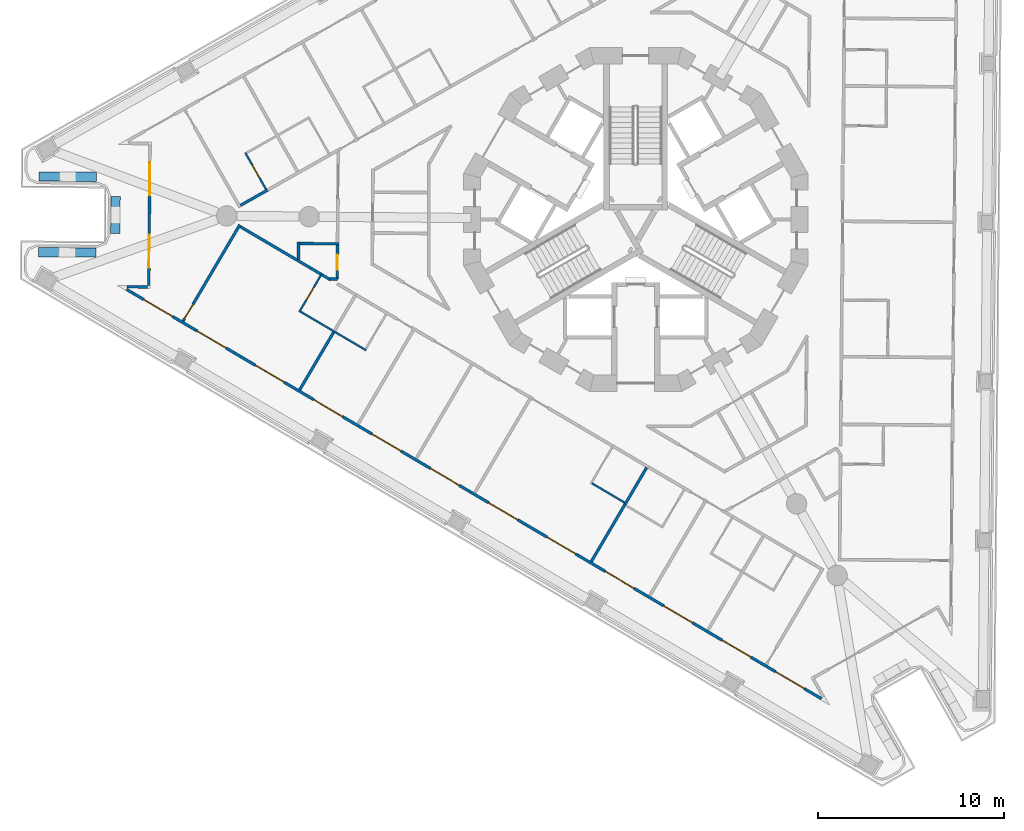
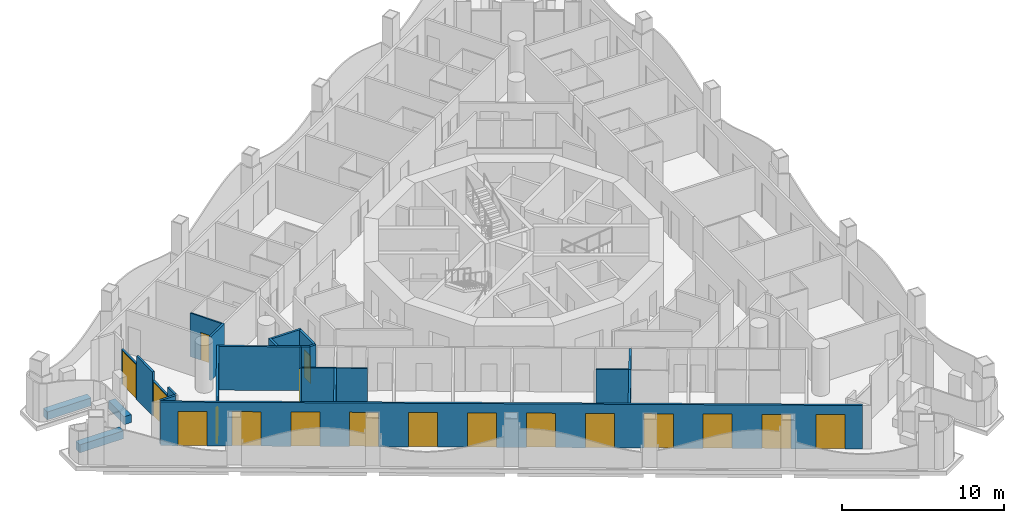
# One storey, part 2 of 18: 24 walls, 18 doors, 18 openings.
"""IFC4 building model written with IfcOpenShell, lengths in metres."""

import ifcopenshell
import ifcopenshell.guid

model = None  # the IFC model being written
_history = None  # IfcOwnerHistory: only IFC2X3 demands one
_inside = {}  # id of a spatial element -> (the spatial element, [elements in it])
_under = {}  # id of a project, library or spatial element -> (it, [spatial elements below it])
_declared = {}  # id of a project -> (the project, [libraries it declares])
_typed = {}  # id of a type object -> (the type object, [elements of that type])
_made_of = {}  # id of a material, layer set ... -> (it, [elements and type objects made of it])


def new_model(schema):
    """Start an empty IFC model of exactly this schema.

    Asked for "IFC4X3", IfcOpenShell would pick the latest addendum, in which some entities
    have other attributes; the version numbers below select the first issue.
    IFC2X3 requires an IfcOwnerHistory on every rooted entity: one is made here for all.
    """
    global model, _history
    if schema == "IFC4X3":
        model = ifcopenshell.file(schema_version=(4, 3, 0, 0))
    else:
        model = ifcopenshell.file(schema=schema)
    _inside.clear()
    _under.clear()
    _declared.clear()
    _typed.clear()
    _made_of.clear()
    _history = None
    if model.schema == "IFC2X3":
        org = make("IfcOrganization", Name="unknown")
        user = make(
            "IfcPersonAndOrganization",
            ThePerson=make("IfcPerson", FamilyName="unknown"),
            TheOrganization=org,
        )
        app = make(
            "IfcApplication",
            ApplicationDeveloper=org,
            Version="unknown",
            ApplicationFullName="unknown",
            ApplicationIdentifier="unknown",
        )
        _history = make(
            "IfcOwnerHistory",
            OwningUser=user,
            OwningApplication=app,
            ChangeAction="ADDED",
            CreationDate=0,
        )
    return model


def make(cls, **values):
    """One entity of the class cls with the attributes given. An attribute that is None is left unset."""
    return model.create_entity(
        cls, **{name: value for name, value in values.items() if value is not None}
    )


def rooted(cls, **values):
    """An entity with a GlobalId (a new one), such as an element, a storey or a relation."""
    return make(cls, GlobalId=ifcopenshell.guid.new(), OwnerHistory=_history, **values)


def si_unit(unit_type, name, prefix=None):
    """IfcSIUnit, for example si_unit("LENGTHUNIT", "METRE", prefix="MILLI")."""
    return make("IfcSIUnit", UnitType=unit_type, Prefix=prefix, Name=name)


def assignment(units):
    """IfcUnitAssignment: the units of a project."""
    return None if units is None else make("IfcUnitAssignment", Units=units)


def point(xyz):
    """IfcCartesianPoint."""
    return None if xyz is None else make("IfcCartesianPoint", Coordinates=xyz)


def direction(xyz):
    """IfcDirection."""
    return None if xyz is None else make("IfcDirection", DirectionRatios=xyz)


def frame(location, z_axis=None, x_axis=None):
    """IfcAxis2Placement3D, a coordinate frame: its origin and axes. An axis left out is left unset."""
    return make(
        "IfcAxis2Placement3D",
        Location=point(location),
        Axis=direction(z_axis),
        RefDirection=direction(x_axis),
    )


def frame_2d(location, x_axis=None):
    """IfcAxis2Placement2D, a coordinate frame in the plane: its origin and x axis."""
    return make(
        "IfcAxis2Placement2D", Location=point(location), RefDirection=direction(x_axis)
    )


def origin():
    """The frame at (0, 0, 0) with its axes left unset."""
    return frame((0.0, 0.0, 0.0))


def place(relative_to, where):
    """IfcLocalPlacement: puts the frame where relative to a parent placement (None: the world)."""
    return make(
        "IfcLocalPlacement", PlacementRelTo=relative_to, RelativePlacement=where
    )


def context(
    kind, dimensions, precision=None, world=None, true_north=None, identifier=None
):
    """IfcGeometricRepresentationContext, for example the 3D "Model" context."""
    return make(
        "IfcGeometricRepresentationContext",
        ContextIdentifier=identifier,
        ContextType=kind,
        CoordinateSpaceDimension=dimensions,
        Precision=precision,
        WorldCoordinateSystem=world,
        TrueNorth=true_north,
    )


def subcontext(parent, identifier, kind, view, scale=None):
    """IfcGeometricRepresentationSubContext, for example "Body" below "Model"."""
    return make(
        "IfcGeometricRepresentationSubContext",
        ContextIdentifier=identifier,
        ContextType=kind,
        ParentContext=parent,
        TargetScale=scale,
        TargetView=view,
    )


def project(units=None, contexts=None):
    """IfcProject with its units and contexts."""
    return rooted(
        "IfcProject",
        Name="project",
        RepresentationContexts=contexts,
        UnitsInContext=assignment(units),
    )


def spatial(cls, under=None, at=None, **own):
    """A site, building, storey or space (cls), placed at a placement, below another one or the project."""
    s = rooted(cls, ObjectPlacement=at, **own)
    if under is not None:
        _under.setdefault(under.id(), (under, []))[1].append(s)
    return s


def polyline(points):
    """IfcPolyline through the points."""
    return make("IfcPolyline", Points=[point(p) for p in points])


def profile(cls, at=None, kind="AREA", **sizes):
    """A parametric profile (cls). Its sizes go by their IFC names, for example OverallWidth=200.0."""
    return make(cls, ProfileType=kind, Position=at, **sizes)


def rectangle(**sizes):
    """IfcRectangleProfileDef."""
    return profile("IfcRectangleProfileDef", **sizes)


def outline(outer, holes=None, kind="AREA"):
    """IfcArbitraryClosedProfileDef: a profile drawn as a closed curve; with holes, ...WithVoids."""
    if holes is None:
        return make("IfcArbitraryClosedProfileDef", ProfileType=kind, OuterCurve=outer)
    return make(
        "IfcArbitraryProfileDefWithVoids",
        ProfileType=kind,
        OuterCurve=outer,
        InnerCurves=holes,
    )


def extrude(swept, where, along, depth):
    """IfcExtrudedAreaSolid: the profile swept, set in the frame where, extruded along a direction by depth."""
    return make(
        "IfcExtrudedAreaSolid",
        SweptArea=swept,
        Position=where,
        ExtrudedDirection=direction(along),
        Depth=depth,
    )


def shape(context_of_items, identifier, shape_type, items):
    """IfcShapeRepresentation: the items that make up one representation, for example the "Body"."""
    return make(
        "IfcShapeRepresentation",
        ContextOfItems=context_of_items,
        RepresentationIdentifier=identifier,
        RepresentationType=shape_type,
        Items=items,
    )


def material(Name=None, Category=None):
    """IfcMaterial."""
    return make("IfcMaterial", Name=Name, Category=Category)


def layer(
    of_material, thickness, ventilated=None, Name=None, Category=None, Priority=None
):
    """IfcMaterialLayer: one layer of a wall or slab, of a material (None: an air gap)."""
    return make(
        "IfcMaterialLayer",
        Material=of_material,
        LayerThickness=thickness,
        IsVentilated=ventilated,
        Name=Name,
        Category=Category,
        Priority=Priority,
    )


def layer_set(layers, Name=None):
    """IfcMaterialLayerSet."""
    return make("IfcMaterialLayerSet", MaterialLayers=layers, LayerSetName=Name)


def made_of(thing, what):
    """Note that an element or type object is made of a material, layer set ...; save() writes the relation."""
    if what is not None:
        _made_of.setdefault(what.id(), (what, []))[1].append(thing)
    return thing


def type_object(cls, material=None, **own):
    """A type object (cls), such as IfcWallType, which elements share."""
    return made_of(rooted(cls, **own), material)


def element(
    cls,
    number,
    at=None,
    inside=None,
    cuts=None,
    type_object=None,
    material=None,
    context=None,
    identifier="Body",
    shape_type=None,
    held_by="IfcProductDefinitionShape",
    body=None,
    shapes=None,
    **own,
):
    """One element of the class cls, such as IfcWall. Its Tag is "e" and its number.

    at: its placement. inside: the storey or other place that contains it. cuts: it is an
    opening in that element (IfcRelVoidsElement). A single representation is given by context,
    identifier, shape_type and body (its items); several are given by shapes. held_by: the class
    of the entity that holds the representations. save() writes the other relations.
    """
    e = rooted(cls, Tag="e%d" % number, ObjectPlacement=at, **own)
    if body is not None:
        shapes = [shape(context, identifier, shape_type, body)]
    if shapes is not None:
        e.Representation = make(held_by, Representations=shapes)
    if inside is not None:
        _inside.setdefault(inside.id(), (inside, []))[1].append(e)
    if cuts is not None:
        rooted(
            "IfcRelVoidsElement", RelatingBuildingElement=cuts, RelatedOpeningElement=e
        )
    if type_object is not None:
        _typed.setdefault(type_object.id(), (type_object, []))[1].append(e)
    return made_of(e, material)


def fill(opening, filler):
    """IfcRelFillsElement: the door or window that sits in an opening."""
    return rooted(
        "IfcRelFillsElement",
        RelatingOpeningElement=opening,
        RelatedBuildingElement=filler,
    )


def aggregate(whole, parts):
    """IfcRelAggregates: a whole, such as a stair, and the parts it consists of."""
    return rooted("IfcRelAggregates", RelatingObject=whole, RelatedObjects=parts)


def save(model, path):
    """Write the relations noted so far, then the file.

    IfcRelAggregates (storeys below a building ...), IfcRelContainedInSpatialStructure (elements
    in a storey), IfcRelDefinesByType, IfcRelAssociatesMaterial and IfcRelDeclares: one each for
    every whole, place, type object, material and project.
    """
    for whole, parts in _under.values():
        aggregate(whole, parts)
    for where, things in _inside.values():
        rooted(
            "IfcRelContainedInSpatialStructure",
            RelatedElements=things,
            RelatingStructure=where,
        )
    for kind, things in _typed.values():
        rooted("IfcRelDefinesByType", RelatedObjects=things, RelatingType=kind)
    for what, things in _made_of.values():
        rooted("IfcRelAssociatesMaterial", RelatedObjects=things, RelatingMaterial=what)
    for by, libraries in _declared.values():
        rooted("IfcRelDeclares", RelatingContext=by, RelatedDefinitions=libraries)
    model.write(path)


model = new_model("IFC4")

# Units and contexts
model_context = context("Model", 3, precision=1e-05, world=origin(), true_north=direction((0.0, 1.0)))
body_context = subcontext(model_context, "Body", "Model", "MODEL_VIEW")
ifc_project = project(units=[si_unit("LENGTHUNIT", "METRE"), si_unit("AREAUNIT", "SQUARE_METRE"), si_unit("VOLUMEUNIT", "CUBIC_METRE"), si_unit("PLANEANGLEUNIT", "RADIAN"), si_unit("MASSUNIT", "GRAM", prefix="KILO")], contexts=[model_context])

# Site, building, storey
site_placement = place(None, origin())
site = spatial("IfcSite", under=ifc_project, at=site_placement, CompositionType="ELEMENT")
building_placement = place(site_placement, origin())
building = spatial("IfcBuilding", under=site, at=building_placement, Name="Trine Commons Tower", CompositionType="ELEMENT")
storey_placement = place(building_placement, frame((0.0, 0.0, 175.5)))
storey = spatial("IfcBuildingStorey", under=building, at=storey_placement, Name="L45", CompositionType="ELEMENT", Elevation=175.5)

# Walls
ifc_material_1 = material(Name="Aluminium-framed insulated wall panel", Category="aluminium")
ifc_layer_1 = layer(ifc_material_1, 0.14990234375)
ifc_layer_set_1 = layer_set([ifc_layer_1], Name="Aluminium-framed insulated wall panel")
wall_type_1 = type_object("IfcWallType", Name="Glazed frame wall 150, EI 60", PredefinedType="SOLIDWALL", material=ifc_layer_set_1)
wall_1_placement = place(storey_placement, frame((52.447265625, 58.875244140625, 0.0), z_axis=(0.0, 0.0, 1.0), x_axis=(0.999962043845, -0.008712684354, 0.0)))
element("IfcWall", 1, at=wall_1_placement, inside=storey, type_object=wall_type_1, Name="Glazed frame wall R1", PredefinedType="SOLIDWALL", context=body_context, shape_type="SweptSolid", body=[
    extrude(outline(polyline([(0.1494140625, 0.074951171875), (0.1494140625, -0.074951171875), (1.235107421875, -0.074951171875), (1.235107421875, 0.074951171875), (0.1494140625, 0.074951171875)])), origin(), (0.0, 0.0, 1.0), 3.300048828125),
])
wall_2_placement = place(storey_placement, frame((53.7568359375, 58.828857421875, 0.0), z_axis=(0.0, 0.0, 1.0), x_axis=(0.008788723053, 0.999961378428, 0.0)))
element("IfcWall", 2, at=wall_2_placement, inside=storey, type_object=wall_type_1, Name="Glazed frame wall P1.1", PredefinedType="SOLIDWALL", context=body_context, shape_type="SweptSolid", body=[
    extrude(outline(polyline([(0.110107421875, -0.074951171875), (1.0, -0.074951171875), (1.0, 0.074951171875), (0.110107421875, 0.074951171875), (0.110107421875, -0.074951171875)])), origin(), (0.0, 0.0, 1.0), 3.300048828125),
])

# Wall, opening, door
wall_3_placement = place(storey_placement, frame((53.765625, 59.828857421875, 0.0), z_axis=(0.0, 0.0, 1.0), x_axis=(0.008737780017, 0.999961824872, 0.0)))
wall_3 = element("IfcWall", 3, at=wall_3_placement, inside=storey, type_object=wall_type_1, Name="Glazed frame wall P1.2", PredefinedType="SOLIDWALL", context=body_context, shape_type="SweptSolid", body=[
    extrude(outline(polyline([(0.0, -0.074951171875), (1.89990234375, -0.074951171875), (1.89990234375, 0.074951171875), (0.0, 0.074951171875), (0.0, -0.074951171875)])), origin(), (0.0, 0.0, 1.0), 2.64990234375),
])
opening_1_placement = place(wall_3_placement, frame((0.050048828125, 0.0, 0.0)))
opening_1 = element("IfcOpeningElement", 4, at=opening_1_placement, cuts=wall_3, Name="Opening BD-5P1-01", PredefinedType="OPENING", context=body_context, shape_type="SweptSolid", body=[
    extrude(rectangle(XDim=1.800048828125, YDim=2.60009765625, at=frame_2d((0.89990234375, 1.300048828125))), frame((0.0, 0.0849609375, 0.0), z_axis=(0.0, -1.0, 0.0), x_axis=(1.0, 0.0, 0.0)), (0.0, 0.0, 1.0), 0.169921875),
])
ifc_material_2 = material(Name="Anodised aluminium frame with double glazing", Category="aluminium")
door_type_1 = type_object("IfcDoorType", Name="Sliding loggia door 1800x2600", OperationType="SLIDING_TO_LEFT", PredefinedType="DOOR", material=ifc_material_2)
door_1_placement = place(opening_1_placement, origin())
door_1 = element("IfcDoor", 5, at=door_1_placement, inside=storey, type_object=door_type_1, Name="Loggia door P1 1", OperationType="SLIDING_TO_LEFT", OverallHeight=2.60009765625, OverallWidth=1.800048828125, PredefinedType="DOOR", context=body_context, shape_type="SweptSolid", body=[
    extrude(rectangle(XDim=1.800048828125, YDim=2.60009765625, at=frame_2d((0.89990234375, 1.300048828125))), frame((0.0, 0.02490234375, 0.0), z_axis=(0.0, -1.0, 0.0), x_axis=(1.0, 0.0, 0.0)), (0.0, 0.0, 1.0), 0.050048828125),
])
fill(opening_1, door_1)

# Wall
wall_4_placement = place(storey_placement, frame((53.7822265625, 61.728759765625, 0.0), z_axis=(0.0, 0.0, 1.0), x_axis=(0.008788723053, 0.999961378428, 0.0)))
element("IfcWall", 6, at=wall_4_placement, inside=storey, type_object=wall_type_1, Name="Glazed frame wall P1.3", PredefinedType="SOLIDWALL", context=body_context, shape_type="SweptSolid", body=[
    extrude(outline(polyline([(0.0, -0.074951171875), (2.0, -0.074951171875), (2.0, 0.074951171875), (0.0, 0.074951171875), (0.0, -0.074951171875)])), origin(), (0.0, 0.0, 1.0), 3.300048828125),
])

# Wall, opening, door
wall_5_placement = place(storey_placement, frame((53.7998046875, 63.728759765625, 0.0), z_axis=(0.0, 0.0, 1.0), x_axis=(0.008609292847, 0.999962939352, 0.0)))
wall_5 = element("IfcWall", 7, at=wall_5_placement, inside=storey, type_object=wall_type_1, Name="Glazed frame wall P1.4", PredefinedType="SOLIDWALL", context=body_context, shape_type="SweptSolid", body=[
    extrude(outline(polyline([(0.0, -0.074951171875), (1.89990234375, -0.074951171875), (1.89990234375, 0.074951171875), (0.0, 0.074951171875), (0.0, -0.074951171875)])), origin(), (0.0, 0.0, 1.0), 2.64990234375),
])
opening_2_placement = place(wall_5_placement, frame((0.050048828125, 0.0, 0.0)))
opening_2 = element("IfcOpeningElement", 8, at=opening_2_placement, cuts=wall_5, Name="Opening BD-5P1-02", PredefinedType="OPENING", context=body_context, shape_type="SweptSolid", body=[
    extrude(rectangle(XDim=1.800048828125, YDim=2.60009765625, at=frame_2d((0.89990234375, 1.300048828125))), frame((0.0, 0.0849609375, 0.0), z_axis=(0.0, -1.0, 0.0), x_axis=(1.0, 0.0, 0.0)), (0.0, 0.0, 1.0), 0.169921875),
])
door_2_placement = place(opening_2_placement, origin())
door_2 = element("IfcDoor", 9, at=door_2_placement, inside=storey, type_object=door_type_1, Name="Loggia door P1 2", OperationType="SLIDING_TO_LEFT", OverallHeight=2.60009765625, OverallWidth=1.800048828125, PredefinedType="DOOR", context=body_context, shape_type="SweptSolid", body=[
    extrude(rectangle(XDim=1.800048828125, YDim=2.60009765625, at=frame_2d((0.89990234375, 1.300048828125))), frame((0.0, 0.02490234375, 0.0), z_axis=(0.0, -1.0, 0.0), x_axis=(1.0, 0.0, 0.0)), (0.0, 0.0, 1.0), 0.050048828125),
])
fill(opening_2, door_2)

# Wall, openings, doors
wall_6_placement = place(storey_placement, frame((90.139404296875, 36.59716796875, 0.0), z_axis=(0.0, 0.0, 1.0), x_axis=(-0.861630336939, 0.507536365659, 0.0)))
wall_6 = element("IfcWall", 10, at=wall_6_placement, inside=storey, type_object=wall_type_1, Name="Glazed frame wall F3", PredefinedType="SOLIDWALL", context=body_context, shape_type="SweptSolid", body=[
    extrude(outline(polyline([(0.1494140625, 0.074951171875), (0.1494140625, -0.074951171875), (43.616943359375, -0.074951171875), (43.616943359375, 0.074951171875), (0.1494140625, 0.074951171875)])), origin(), (0.0, 0.0, 1.0), 3.300048828125),
])
opening_3_placement = place(wall_6_placement, frame((1.2236328125, 0.0, 0.0)))
opening_3 = element("IfcOpeningElement", 11, at=opening_3_placement, cuts=wall_6, Name="Opening BD-5F3-01", PredefinedType="OPENING", context=body_context, shape_type="SweptSolid", body=[
    extrude(rectangle(XDim=1.800048828125, YDim=2.60009765625, at=frame_2d((0.89990234375, 1.300048828125))), frame((0.0, 0.0849609375, 0.0), z_axis=(0.0, -1.0, 0.0), x_axis=(1.0, 0.0, 0.0)), (0.0, 0.0, 1.0), 0.169921875),
])
opening_4_placement = place(wall_6_placement, frame((4.57080078125, 0.0, 0.0)))
opening_4 = element("IfcOpeningElement", 12, at=opening_4_placement, cuts=wall_6, Name="Opening BD-5F3-02", PredefinedType="OPENING", context=body_context, shape_type="SweptSolid", body=[
    extrude(rectangle(XDim=1.800048828125, YDim=2.60009765625, at=frame_2d((0.89990234375, 1.300048828125))), frame((0.0, 0.0849609375, 0.0), z_axis=(0.0, -1.0, 0.0), x_axis=(1.0, 0.0, 0.0)), (0.0, 0.0, 1.0), 0.169921875),
])
opening_5_placement = place(wall_6_placement, frame((8.218017578125, 0.0, 0.0)))
opening_5 = element("IfcOpeningElement", 13, at=opening_5_placement, cuts=wall_6, Name="Opening BD-5F3-03", PredefinedType="OPENING", context=body_context, shape_type="SweptSolid", body=[
    extrude(rectangle(XDim=1.800048828125, YDim=2.60009765625, at=frame_2d((0.89990234375, 1.300048828125))), frame((0.0, 0.0849609375, 0.0), z_axis=(0.0, -1.0, 0.0), x_axis=(1.0, 0.0, 0.0)), (0.0, 0.0, 1.0), 0.169921875),
])
opening_6_placement = place(wall_6_placement, frame((11.865234375, 0.0, 0.0)))
opening_6 = element("IfcOpeningElement", 14, at=opening_6_placement, cuts=wall_6, Name="Opening BD-5F3-04", PredefinedType="OPENING", context=body_context, shape_type="SweptSolid", body=[
    extrude(rectangle(XDim=1.800048828125, YDim=2.60009765625, at=frame_2d((0.89990234375, 1.300048828125))), frame((0.0, 0.0849609375, 0.0), z_axis=(0.0, -1.0, 0.0), x_axis=(1.0, 0.0, 0.0)), (0.0, 0.0, 1.0), 0.169921875),
])
opening_7_placement = place(wall_6_placement, frame((15.512451171875, 0.0, 0.0)))
opening_7 = element("IfcOpeningElement", 15, at=opening_7_placement, cuts=wall_6, Name="Opening BD-5F3-05", PredefinedType="OPENING", context=body_context, shape_type="SweptSolid", body=[
    extrude(rectangle(XDim=1.800048828125, YDim=2.60009765625, at=frame_2d((0.89990234375, 1.300048828125))), frame((0.0, 0.0849609375, 0.0), z_axis=(0.0, -1.0, 0.0), x_axis=(1.0, 0.0, 0.0)), (0.0, 0.0, 1.0), 0.169921875),
])
opening_8_placement = place(wall_6_placement, frame((19.15966796875, 0.0, 0.0)))
opening_8 = element("IfcOpeningElement", 16, at=opening_8_placement, cuts=wall_6, Name="Opening BD-5F3-06", PredefinedType="OPENING", context=body_context, shape_type="SweptSolid", body=[
    extrude(rectangle(XDim=1.800048828125, YDim=2.60009765625, at=frame_2d((0.89990234375, 1.300048828125))), frame((0.0, 0.0849609375, 0.0), z_axis=(0.0, -1.0, 0.0), x_axis=(1.0, 0.0, 0.0)), (0.0, 0.0, 1.0), 0.169921875),
])
opening_9_placement = place(wall_6_placement, frame((22.806884765625, 0.0, 0.0)))
opening_9 = element("IfcOpeningElement", 17, at=opening_9_placement, cuts=wall_6, Name="Opening BD-5F3-07", PredefinedType="OPENING", context=body_context, shape_type="SweptSolid", body=[
    extrude(rectangle(XDim=1.800048828125, YDim=2.60009765625, at=frame_2d((0.89990234375, 1.300048828125))), frame((0.0, 0.0849609375, 0.0), z_axis=(0.0, -1.0, 0.0), x_axis=(1.0, 0.0, 0.0)), (0.0, 0.0, 1.0), 0.169921875),
])
opening_10_placement = place(wall_6_placement, frame((26.4541015625, 0.0, 0.0)))
opening_10 = element("IfcOpeningElement", 18, at=opening_10_placement, cuts=wall_6, Name="Opening BD-5F3-08", PredefinedType="OPENING", context=body_context, shape_type="SweptSolid", body=[
    extrude(rectangle(XDim=1.800048828125, YDim=2.60009765625, at=frame_2d((0.89990234375, 1.300048828125))), frame((0.0, 0.0849609375, 0.0), z_axis=(0.0, -1.0, 0.0), x_axis=(1.0, 0.0, 0.0)), (0.0, 0.0, 1.0), 0.169921875),
])
opening_11_placement = place(wall_6_placement, frame((30.101318359375, 0.0, 0.0)))
opening_11 = element("IfcOpeningElement", 19, at=opening_11_placement, cuts=wall_6, Name="Opening BD-5F3-09", PredefinedType="OPENING", context=body_context, shape_type="SweptSolid", body=[
    extrude(rectangle(XDim=1.800048828125, YDim=2.60009765625, at=frame_2d((0.89990234375, 1.300048828125))), frame((0.0, 0.0849609375, 0.0), z_axis=(0.0, -1.0, 0.0), x_axis=(1.0, 0.0, 0.0)), (0.0, 0.0, 1.0), 0.169921875),
])
opening_12_placement = place(wall_6_placement, frame((33.748291015625, 0.0, 0.0)))
opening_12 = element("IfcOpeningElement", 20, at=opening_12_placement, cuts=wall_6, Name="Opening BD-5F3-10", PredefinedType="OPENING", context=body_context, shape_type="SweptSolid", body=[
    extrude(rectangle(XDim=1.800048828125, YDim=2.60009765625, at=frame_2d((0.89990234375, 1.300048828125))), frame((0.0, 0.0849609375, 0.0), z_axis=(0.0, -1.0, 0.0), x_axis=(1.0, 0.0, 0.0)), (0.0, 0.0, 1.0), 0.169921875),
])
opening_13_placement = place(wall_6_placement, frame((37.3955078125, 0.0, 0.0)))
opening_13 = element("IfcOpeningElement", 21, at=opening_13_placement, cuts=wall_6, Name="Opening BD-5F3-11", PredefinedType="OPENING", context=body_context, shape_type="SweptSolid", body=[
    extrude(rectangle(XDim=1.800048828125, YDim=2.60009765625, at=frame_2d((0.89990234375, 1.300048828125))), frame((0.0, 0.0849609375, 0.0), z_axis=(0.0, -1.0, 0.0), x_axis=(1.0, 0.0, 0.0)), (0.0, 0.0, 1.0), 0.169921875),
])
opening_14_placement = place(wall_6_placement, frame((40.742919921875, 0.0, 0.0)))
opening_14 = element("IfcOpeningElement", 22, at=opening_14_placement, cuts=wall_6, Name="Opening BD-5F3-12", PredefinedType="OPENING", context=body_context, shape_type="SweptSolid", body=[
    extrude(rectangle(XDim=1.800048828125, YDim=2.60009765625, at=frame_2d((0.89990234375, 1.300048828125))), frame((0.0, 0.0849609375, 0.0), z_axis=(0.0, -1.0, 0.0), x_axis=(1.0, 0.0, 0.0)), (0.0, 0.0, 1.0), 0.169921875),
])
door_3_placement = place(opening_3_placement, origin())
door_3 = element("IfcDoor", 23, at=door_3_placement, inside=storey, type_object=door_type_1, Name="Loggia door F3 1", OperationType="SLIDING_TO_LEFT", OverallHeight=2.60009765625, OverallWidth=1.800048828125, PredefinedType="DOOR", context=body_context, shape_type="SweptSolid", body=[
    extrude(rectangle(XDim=1.800048828125, YDim=2.60009765625, at=frame_2d((0.89990234375, 1.300048828125))), frame((0.0, 0.02490234375, 0.0), z_axis=(0.0, -1.0, 0.0), x_axis=(1.0, 0.0, 0.0)), (0.0, 0.0, 1.0), 0.050048828125),
])
fill(opening_3, door_3)
door_4_placement = place(opening_4_placement, origin())
door_4 = element("IfcDoor", 24, at=door_4_placement, inside=storey, type_object=door_type_1, Name="Loggia door F3 2", OperationType="SLIDING_TO_LEFT", OverallHeight=2.60009765625, OverallWidth=1.800048828125, PredefinedType="DOOR", context=body_context, shape_type="SweptSolid", body=[
    extrude(rectangle(XDim=1.800048828125, YDim=2.60009765625, at=frame_2d((0.89990234375, 1.300048828125))), frame((0.0, 0.02490234375, 0.0), z_axis=(0.0, -1.0, 0.0), x_axis=(1.0, 0.0, 0.0)), (0.0, 0.0, 1.0), 0.050048828125),
])
fill(opening_4, door_4)
door_5_placement = place(opening_5_placement, origin())
door_5 = element("IfcDoor", 25, at=door_5_placement, inside=storey, type_object=door_type_1, Name="Loggia door F3 3", OperationType="SLIDING_TO_LEFT", OverallHeight=2.60009765625, OverallWidth=1.800048828125, PredefinedType="DOOR", context=body_context, shape_type="SweptSolid", body=[
    extrude(rectangle(XDim=1.800048828125, YDim=2.60009765625, at=frame_2d((0.89990234375, 1.300048828125))), frame((0.0, 0.02490234375, 0.0), z_axis=(0.0, -1.0, 0.0), x_axis=(1.0, 0.0, 0.0)), (0.0, 0.0, 1.0), 0.050048828125),
])
fill(opening_5, door_5)
door_6_placement = place(opening_6_placement, origin())
door_6 = element("IfcDoor", 26, at=door_6_placement, inside=storey, type_object=door_type_1, Name="Loggia door F3 4", OperationType="SLIDING_TO_LEFT", OverallHeight=2.60009765625, OverallWidth=1.800048828125, PredefinedType="DOOR", context=body_context, shape_type="SweptSolid", body=[
    extrude(rectangle(XDim=1.800048828125, YDim=2.60009765625, at=frame_2d((0.89990234375, 1.300048828125))), frame((0.0, 0.02490234375, 0.0), z_axis=(0.0, -1.0, 0.0), x_axis=(1.0, 0.0, 0.0)), (0.0, 0.0, 1.0), 0.050048828125),
])
fill(opening_6, door_6)
door_7_placement = place(opening_7_placement, origin())
door_7 = element("IfcDoor", 27, at=door_7_placement, inside=storey, type_object=door_type_1, Name="Loggia door F3 5", OperationType="SLIDING_TO_LEFT", OverallHeight=2.60009765625, OverallWidth=1.800048828125, PredefinedType="DOOR", context=body_context, shape_type="SweptSolid", body=[
    extrude(rectangle(XDim=1.800048828125, YDim=2.60009765625, at=frame_2d((0.89990234375, 1.300048828125))), frame((0.0, 0.02490234375, 0.0), z_axis=(0.0, -1.0, 0.0), x_axis=(1.0, 0.0, 0.0)), (0.0, 0.0, 1.0), 0.050048828125),
])
fill(opening_7, door_7)
door_8_placement = place(opening_8_placement, origin())
door_8 = element("IfcDoor", 28, at=door_8_placement, inside=storey, type_object=door_type_1, Name="Loggia door F3 6", OperationType="SLIDING_TO_LEFT", OverallHeight=2.60009765625, OverallWidth=1.800048828125, PredefinedType="DOOR", context=body_context, shape_type="SweptSolid", body=[
    extrude(rectangle(XDim=1.800048828125, YDim=2.60009765625, at=frame_2d((0.89990234375, 1.300048828125))), frame((0.0, 0.02490234375, 0.0), z_axis=(0.0, -1.0, 0.0), x_axis=(1.0, 0.0, 0.0)), (0.0, 0.0, 1.0), 0.050048828125),
])
fill(opening_8, door_8)
door_9_placement = place(opening_9_placement, origin())
door_9 = element("IfcDoor", 29, at=door_9_placement, inside=storey, type_object=door_type_1, Name="Loggia door F3 7", OperationType="SLIDING_TO_LEFT", OverallHeight=2.60009765625, OverallWidth=1.800048828125, PredefinedType="DOOR", context=body_context, shape_type="SweptSolid", body=[
    extrude(rectangle(XDim=1.800048828125, YDim=2.60009765625, at=frame_2d((0.89990234375, 1.300048828125))), frame((0.0, 0.02490234375, 0.0), z_axis=(0.0, -1.0, 0.0), x_axis=(1.0, 0.0, 0.0)), (0.0, 0.0, 1.0), 0.050048828125),
])
fill(opening_9, door_9)
door_10_placement = place(opening_10_placement, origin())
door_10 = element("IfcDoor", 30, at=door_10_placement, inside=storey, type_object=door_type_1, Name="Loggia door F3 8", OperationType="SLIDING_TO_LEFT", OverallHeight=2.60009765625, OverallWidth=1.800048828125, PredefinedType="DOOR", context=body_context, shape_type="SweptSolid", body=[
    extrude(rectangle(XDim=1.800048828125, YDim=2.60009765625, at=frame_2d((0.89990234375, 1.300048828125))), frame((0.0, 0.02490234375, 0.0), z_axis=(0.0, -1.0, 0.0), x_axis=(1.0, 0.0, 0.0)), (0.0, 0.0, 1.0), 0.050048828125),
])
fill(opening_10, door_10)
door_11_placement = place(opening_11_placement, origin())
door_11 = element("IfcDoor", 31, at=door_11_placement, inside=storey, type_object=door_type_1, Name="Loggia door F3 9", OperationType="SLIDING_TO_LEFT", OverallHeight=2.60009765625, OverallWidth=1.800048828125, PredefinedType="DOOR", context=body_context, shape_type="SweptSolid", body=[
    extrude(rectangle(XDim=1.800048828125, YDim=2.60009765625, at=frame_2d((0.89990234375, 1.300048828125))), frame((0.0, 0.02490234375, 0.0), z_axis=(0.0, -1.0, 0.0), x_axis=(1.0, 0.0, 0.0)), (0.0, 0.0, 1.0), 0.050048828125),
])
fill(opening_11, door_11)
door_12_placement = place(opening_12_placement, origin())
door_12 = element("IfcDoor", 32, at=door_12_placement, inside=storey, type_object=door_type_1, Name="Loggia door F3 10", OperationType="SLIDING_TO_LEFT", OverallHeight=2.60009765625, OverallWidth=1.800048828125, PredefinedType="DOOR", context=body_context, shape_type="SweptSolid", body=[
    extrude(rectangle(XDim=1.800048828125, YDim=2.60009765625, at=frame_2d((0.89990234375, 1.300048828125))), frame((0.0, 0.02490234375, 0.0), z_axis=(0.0, -1.0, 0.0), x_axis=(1.0, 0.0, 0.0)), (0.0, 0.0, 1.0), 0.050048828125),
])
fill(opening_12, door_12)
door_13_placement = place(opening_13_placement, origin())
door_13 = element("IfcDoor", 33, at=door_13_placement, inside=storey, type_object=door_type_1, Name="Loggia door F3 11", OperationType="SLIDING_TO_LEFT", OverallHeight=2.60009765625, OverallWidth=1.800048828125, PredefinedType="DOOR", context=body_context, shape_type="SweptSolid", body=[
    extrude(rectangle(XDim=1.800048828125, YDim=2.60009765625, at=frame_2d((0.89990234375, 1.300048828125))), frame((0.0, 0.02490234375, 0.0), z_axis=(0.0, -1.0, 0.0), x_axis=(1.0, 0.0, 0.0)), (0.0, 0.0, 1.0), 0.050048828125),
])
fill(opening_13, door_13)
door_14_placement = place(opening_14_placement, origin())
door_14 = element("IfcDoor", 34, at=door_14_placement, inside=storey, type_object=door_type_1, Name="Loggia door F3 12", OperationType="SLIDING_TO_LEFT", OverallHeight=2.60009765625, OverallWidth=1.800048828125, PredefinedType="DOOR", context=body_context, shape_type="SweptSolid", body=[
    extrude(rectangle(XDim=1.800048828125, YDim=2.60009765625, at=frame_2d((0.89990234375, 1.300048828125))), frame((0.0, 0.02490234375, 0.0), z_axis=(0.0, -1.0, 0.0), x_axis=(1.0, 0.0, 0.0)), (0.0, 0.0, 1.0), 0.050048828125),
])
fill(opening_14, door_14)

# Walls
ifc_material_3 = material(Name="Planter trough, precast concrete C40/50", Category="concrete")
ifc_layer_2 = layer(ifc_material_3, 0.5)
ifc_layer_set_2 = layer_set([ifc_layer_2], Name="Planter trough, precast concrete C40/50")
wall_type_2 = type_object("IfcWallType", Name="Planter trough 500x600", PredefinedType="PARAPET", material=ifc_layer_set_2)
wall_7_placement = place(storey_placement, frame((47.808349609375, 60.74072265625, 0.0), z_axis=(0.0, 0.0, 1.0), x_axis=(0.99996247431, -0.008663138708, 0.0)))
element("IfcWall", 35, at=wall_7_placement, inside=storey, type_object=wall_type_2, Name="Planter 1", PredefinedType="PARAPET", context=body_context, shape_type="SweptSolid", body=[
    extrude(rectangle(XDim=3.099853515625, YDim=0.5, at=frame_2d((1.5498046875, 0.0))), origin(), (0.0, 0.0, 1.0), 0.60009765625),
])
wall_8_placement = place(storey_placement, frame((51.957275390625, 61.74462890625, 0.0), z_axis=(0.0, 0.0, 1.0), x_axis=(0.008666666688, 0.999962443739, 0.0)))
element("IfcWall", 36, at=wall_8_placement, inside=storey, type_object=wall_type_2, Name="Planter 2", PredefinedType="PARAPET", context=body_context, shape_type="SweptSolid", body=[
    extrude(rectangle(XDim=2.0, YDim=0.5, at=frame_2d((1.0, 0.0))), origin(), (0.0, 0.0, 1.0), 0.60009765625),
])
wall_9_placement = place(storey_placement, frame((50.94384765625, 64.793701171875, 0.0), z_axis=(0.0, 0.0, 1.0), x_axis=(-0.999961788962, 0.008741888523, 0.0)))
element("IfcWall", 37, at=wall_9_placement, inside=storey, type_object=wall_type_2, Name="Planter 3", PredefinedType="PARAPET", context=body_context, shape_type="SweptSolid", body=[
    extrude(rectangle(XDim=3.099853515625, YDim=0.5, at=frame_2d((1.5498046875, 0.0))), origin(), (0.0, 0.0, 1.0), 0.60009765625),
])

# Wall, opening, door
ifc_material_4 = material(Name="Gypsum plasterboard on steel stud", Category="steel")
ifc_layer_3 = layer(ifc_material_4, 0.14990234375)
ifc_layer_set_3 = layer_set([ifc_layer_3], Name="Gypsum plasterboard on steel stud")
wall_type_3 = type_object("IfcWallType", Name="Unit and corridor wall 150 mm, EI 60", PredefinedType="PARTITIONING", material=ifc_layer_set_3)
wall_10_placement = place(storey_placement, frame((55.609375, 57.0234375, 0.0), z_axis=(0.0, 0.0, 1.0), x_axis=(0.507512364089, 0.861644474419, 0.0)))
wall_10 = element("IfcWall", 38, at=wall_10_placement, inside=storey, type_object=wall_type_3, Name="Partition 001", PredefinedType="PARTITIONING", context=body_context, shape_type="SweptSolid", body=[
    extrude(rectangle(XDim=6.024658203125, YDim=0.14990234375, at=frame_2d((3.01220703125, 0.0))), origin(), (0.0, 0.0, 1.0), 3.300048828125),
])
opening_15_placement = place(wall_10_placement, frame((0.14990234375, 0.0, 0.0)))
opening_15 = element("IfcOpeningElement", 39, at=opening_15_placement, cuts=wall_10, Name="Opening D-5B29", PredefinedType="OPENING", context=body_context, shape_type="SweptSolid", body=[
    extrude(rectangle(XDim=0.89990234375, YDim=2.10009765625, at=frame_2d((0.449951171875, 1.050048828125))), frame((0.0, 0.0849609375, 0.0), z_axis=(0.0, -1.0, 0.0), x_axis=(1.0, 0.0, 0.0)), (0.0, 0.0, 1.0), 0.169921875),
])
ifc_material_5 = material(Name="Timber fire door set", Category="wood")
door_type_2 = type_object("IfcDoorType", Name="Bedroom door 900 x 2100, FD30S", OperationType="NOTDEFINED", PredefinedType="DOOR", material=ifc_material_5)
door_15_placement = place(opening_15_placement, frame((0.89990234375, 0.0, 0.0), z_axis=(0.0, 0.0, 1.0), x_axis=(-1.0, 0.0, 0.0)))
door_15 = element("IfcDoor", 40, at=door_15_placement, inside=storey, type_object=door_type_2, Name="Door D-5B29", OperationType="SINGLE_SWING_RIGHT", OverallHeight=2.10009765625, OverallWidth=0.89990234375, PredefinedType="DOOR", context=body_context, shape_type="SweptSolid", body=[
    extrude(rectangle(XDim=0.89990234375, YDim=2.10009765625, at=frame_2d((0.449951171875, 1.050048828125))), frame((0.0, 0.02490234375, 0.0), z_axis=(0.0, -1.0, 0.0), x_axis=(1.0, 0.0, 0.0)), (0.0, 0.0, 1.0), 0.050048828125),
])
fill(opening_15, door_15)

# Walls
wall_11_placement = place(storey_placement, frame((58.693603515625, 62.11181640625, 0.0), z_axis=(0.0, 0.0, 1.0), x_axis=(0.861647069411, -0.507507958336, 0.0)))
element("IfcWall", 41, at=wall_11_placement, inside=storey, type_object=wall_type_3, Name="Partition 003", PredefinedType="PARTITIONING", context=body_context, shape_type="SweptSolid", body=[
    extrude(rectangle(XDim=5.0732421875, YDim=0.14990234375, at=frame_2d((2.53662109375, 0.0))), origin(), (0.0, 0.0, 1.0), 3.300048828125),
])
wall_12_placement = place(storey_placement, frame((58.704345703125, 63.260009765625, 0.0), z_axis=(0.0, 0.0, 1.0), x_axis=(0.870190857822, 0.492714796778, 0.0)))
element("IfcWall", 42, at=wall_12_placement, inside=storey, type_object=wall_type_3, Name="Partition 004", PredefinedType="PARTITIONING", context=body_context, shape_type="SweptSolid", body=[
    extrude(rectangle(XDim=1.67578125, YDim=0.14990234375, at=frame_2d((0.837890625, 0.0))), origin(), (0.0, 0.0, 1.0), 3.300048828125),
])
wall_13_placement = place(storey_placement, frame((61.82568359375, 60.343017578125, 0.0), z_axis=(0.0, 0.0, 1.0), x_axis=(0.008337386084, 0.999965243393, 0.0)))
element("IfcWall", 43, at=wall_13_placement, inside=storey, type_object=wall_type_3, Name="Partition 010", PredefinedType="PARTITIONING", context=body_context, shape_type="SweptSolid", body=[
    extrude(rectangle(XDim=0.93701171875, YDim=0.14990234375, at=frame_2d((0.468505859375, 0.0))), origin(), (0.0, 0.0, 1.0), 3.300048828125),
])
wall_14_placement = place(storey_placement, frame((61.907958984375, 61.204345703125, 0.0), z_axis=(0.0, 0.0, 1.0), x_axis=(0.999962964822, -0.008606333961, 0.0)))
element("IfcWall", 44, at=wall_14_placement, inside=storey, type_object=wall_type_3, Name="Partition 011", PredefinedType="PARTITIONING", context=body_context, shape_type="SweptSolid", body=[
    extrude(rectangle(XDim=2.09912109375, YDim=0.14990234375, at=frame_2d((1.049560546875, 0.0))), origin(), (0.0, 0.0, 1.0), 3.300048828125),
])
wall_15_placement = place(storey_placement, frame((61.894287109375, 53.321533203125, 0.0), z_axis=(0.0, 0.0, 1.0), x_axis=(0.507657247854, 0.86155912084, 0.0)))
element("IfcWall", 45, at=wall_15_placement, inside=storey, type_object=wall_type_3, Name="Partition 012", PredefinedType="PARTITIONING", context=body_context, shape_type="SweptSolid", body=[
    extrude(rectangle(XDim=3.599609375, YDim=0.14990234375, at=frame_2d((1.7998046875, 0.0))), origin(), (0.0, 0.0, 1.0), 3.300048828125),
])
wall_16_placement = place(storey_placement, frame((63.05908203125, 59.541015625, 0.0), z_axis=(0.0, 0.0, 1.0), x_axis=(0.861380392191, -0.507960451167, 0.0)))
element("IfcWall", 46, at=wall_16_placement, inside=storey, type_object=wall_type_3, Name="Partition 017", PredefinedType="PARTITIONING", context=body_context, shape_type="SweptSolid", body=[
    extrude(rectangle(XDim=0.567138671875, YDim=0.14990234375, at=frame_2d((0.28369140625, 0.0))), origin(), (0.0, 0.0, 1.0), 3.300048828125),
])
wall_17_placement = place(storey_placement, frame((63.537109375, 59.29052734375, 0.0), z_axis=(0.0, 0.0, 1.0), x_axis=(0.99995807265, -0.009157125207, 0.0)))
element("IfcWall", 47, at=wall_17_placement, inside=storey, type_object=wall_type_3, Name="Partition 018", PredefinedType="PARTITIONING", context=body_context, shape_type="SweptSolid", body=[
    extrude(rectangle(XDim=0.39990234375, YDim=0.14990234375, at=frame_2d((0.199951171875, 0.0))), origin(), (0.0, 0.0, 1.0), 3.300048828125),
])

# Wall, opening, door
wall_18_placement = place(storey_placement, frame((63.916015625, 59.282958984375, 0.0), z_axis=(0.0, 0.0, 1.0), x_axis=(0.008923459297, 0.999960185144, 0.0)))
wall_18 = element("IfcWall", 48, at=wall_18_placement, inside=storey, type_object=wall_type_3, Name="Partition 022", PredefinedType="PARTITIONING", context=body_context, shape_type="SweptSolid", body=[
    extrude(rectangle(XDim=1.8330078125, YDim=0.14990234375, at=frame_2d((0.91650390625, 0.0))), origin(), (0.0, 0.0, 1.0), 3.300048828125),
])
opening_16_placement = place(wall_18_placement, frame((0.5185546875, 0.0, 0.0)))
opening_16 = element("IfcOpeningElement", 49, at=opening_16_placement, cuts=wall_18, Name="Opening D-5B05", PredefinedType="OPENING", context=body_context, shape_type="SweptSolid", body=[
    extrude(rectangle(XDim=0.800048828125, YDim=2.10009765625, at=frame_2d((0.39990234375, 1.050048828125))), frame((0.0, 0.0849609375, 0.0), z_axis=(0.0, -1.0, 0.0), x_axis=(1.0, 0.0, 0.0)), (0.0, 0.0, 1.0), 0.169921875),
])
ifc_material_6 = material(Name="Painted timber", Category="wood")
door_type_3 = type_object("IfcDoorType", Name="Toilet door 800 x 2100, NOT RATED", OperationType="NOTDEFINED", PredefinedType="DOOR", material=ifc_material_6)
door_16_placement = place(opening_16_placement, origin())
door_16 = element("IfcDoor", 50, at=door_16_placement, inside=storey, type_object=door_type_3, Name="Door D-5B05", OperationType="SINGLE_SWING_RIGHT", OverallHeight=2.10009765625, OverallWidth=0.800048828125, PredefinedType="DOOR", context=body_context, shape_type="SweptSolid", body=[
    extrude(rectangle(XDim=0.800048828125, YDim=2.10009765625, at=frame_2d((0.39990234375, 1.050048828125))), frame((0.0, 0.02490234375, 0.0), z_axis=(0.0, -1.0, 0.0), x_axis=(1.0, 0.0, 0.0)), (0.0, 0.0, 1.0), 0.050048828125),
])
fill(opening_16, door_16)

# Walls
wall_19_placement = place(storey_placement, frame((77.607421875, 44.06640625, 0.0), z_axis=(0.0, 0.0, 1.0), x_axis=(0.507645549637, 0.861566013683, 0.0)))
element("IfcWall", 51, at=wall_19_placement, inside=storey, type_object=wall_type_3, Name="Partition 059", PredefinedType="PARTITIONING", context=body_context, shape_type="SweptSolid", body=[
    extrude(rectangle(XDim=3.598876953125, YDim=0.14990234375, at=frame_2d((1.79931640625, 0.0))), origin(), (0.0, 0.0, 1.0), 3.300048828125),
])
wall_20_placement = place(storey_placement, frame((79.4326171875, 47.162841796875, 0.0), z_axis=(0.0, 0.0, 1.0), x_axis=(0.507296227994, 0.861771743017, 0.0)))
element("IfcWall", 52, at=wall_20_placement, inside=storey, type_object=wall_type_3, Name="Partition 066", PredefinedType="PARTITIONING", context=body_context, shape_type="SweptSolid", body=[
    extrude(rectangle(XDim=2.27978515625, YDim=0.14990234375, at=frame_2d((1.139892578125, 0.0))), origin(), (0.0, 0.0, 1.0), 3.300048828125),
])

# Wall, opening, door
ifc_layer_4 = layer(ifc_material_4, 0.10009765625)
ifc_layer_set_4 = layer_set([ifc_layer_4], Name="Gypsum plasterboard on steel stud")
wall_type_4 = type_object("IfcWallType", Name="Unit partition 100 mm, no rating", PredefinedType="PARTITIONING", material=ifc_layer_set_4)
wall_21_placement = place(storey_placement, frame((58.95849609375, 66.1044921875, 0.0), z_axis=(0.0, 0.0, 1.0), x_axis=(0.49250622102, -0.870308923462, 0.0)))
wall_21 = element("IfcWall", 53, at=wall_21_placement, inside=storey, type_object=wall_type_4, Name="Partition 006", PredefinedType="PARTITIONING", context=body_context, shape_type="SweptSolid", body=[
    extrude(rectangle(XDim=2.275390625, YDim=0.10009765625, at=frame_2d((1.1376953125, 0.0))), origin(), (0.0, 0.0, 1.0), 3.300048828125),
])
opening_17_placement = place(wall_21_placement, frame((0.7626953125, 0.0, 0.0)))
opening_17 = element("IfcOpeningElement", 54, at=opening_17_placement, cuts=wall_21, Name="Opening D-5B39", PredefinedType="OPENING", context=body_context, shape_type="SweptSolid", body=[
    extrude(rectangle(XDim=0.800048828125, YDim=2.10009765625, at=frame_2d((0.39990234375, 1.050048828125))), frame((0.0, 0.06005859375, 0.0), z_axis=(0.0, -1.0, 0.0), x_axis=(1.0, 0.0, 0.0)), (0.0, 0.0, 1.0), 0.1201171875),
])
door_type_4 = type_object("IfcDoorType", Name="Internal door 800 x 2100, NOT RATED", OperationType="NOTDEFINED", PredefinedType="DOOR", material=ifc_material_6)
door_17_placement = place(opening_17_placement, frame((0.800048828125, 0.0, 0.0), z_axis=(0.0, 0.0, 1.0), x_axis=(-1.0, 0.0, 0.0)))
door_17 = element("IfcDoor", 55, at=door_17_placement, inside=storey, type_object=door_type_4, Name="Door D-5B39", OperationType="SINGLE_SWING_LEFT", OverallHeight=2.10009765625, OverallWidth=0.800048828125, PredefinedType="DOOR", context=body_context, shape_type="SweptSolid", body=[
    extrude(rectangle(XDim=0.800048828125, YDim=2.10009765625, at=frame_2d((0.39990234375, 1.050048828125))), frame((0.0, 0.02490234375, 0.0), z_axis=(0.0, -1.0, 0.0), x_axis=(1.0, 0.0, 0.0)), (0.0, 0.0, 1.0), 0.050048828125),
])
fill(opening_17, door_17)

wall_22_placement = place(storey_placement, frame((61.86865234375, 57.513916015625, 0.0), z_axis=(0.0, 0.0, 1.0), x_axis=(0.50769515182, 0.861536785528, 0.0)))
wall_22 = element("IfcWall", 56, at=wall_22_placement, inside=storey, type_object=wall_type_4, Name="Partition 013", PredefinedType="PARTITIONING", context=body_context, shape_type="SweptSolid", body=[
    extrude(rectangle(XDim=2.275634765625, YDim=0.10009765625, at=frame_2d((1.1376953125, 0.0))), origin(), (0.0, 0.0, 1.0), 3.300048828125),
])
opening_18_placement = place(wall_22_placement, frame((0.7626953125, 0.0, 0.0)))
opening_18 = element("IfcOpeningElement", 57, at=opening_18_placement, cuts=wall_22, Name="Opening D-5B58", PredefinedType="OPENING", context=body_context, shape_type="SweptSolid", body=[
    extrude(rectangle(XDim=0.800048828125, YDim=2.10009765625, at=frame_2d((0.39990234375, 1.050048828125))), frame((0.0, 0.06005859375, 0.0), z_axis=(0.0, -1.0, 0.0), x_axis=(1.0, 0.0, 0.0)), (0.0, 0.0, 1.0), 0.1201171875),
])
door_18_placement = place(opening_18_placement, origin())
door_18 = element("IfcDoor", 58, at=door_18_placement, inside=storey, type_object=door_type_4, Name="Door D-5B58", OperationType="SINGLE_SWING_RIGHT", OverallHeight=2.10009765625, OverallWidth=0.800048828125, PredefinedType="DOOR", context=body_context, shape_type="SweptSolid", body=[
    extrude(rectangle(XDim=0.800048828125, YDim=2.10009765625, at=frame_2d((0.39990234375, 1.050048828125))), frame((0.0, 0.02490234375, 0.0), z_axis=(0.0, -1.0, 0.0), x_axis=(1.0, 0.0, 0.0)), (0.0, 0.0, 1.0), 0.050048828125),
])
fill(opening_18, door_18)

# Walls
wall_23_placement = place(storey_placement, frame((61.93701171875, 57.531494140625, 0.0), z_axis=(0.0, 0.0, 1.0), x_axis=(0.861672366325, -0.507465006785, 0.0)))
element("IfcWall", 59, at=wall_23_placement, inside=storey, type_object=wall_type_4, Name="Partition 014", PredefinedType="PARTITIONING", context=body_context, shape_type="SweptSolid", body=[
    extrude(rectangle(XDim=4.100341796875, YDim=0.10009765625, at=frame_2d((2.05029296875, 0.0))), origin(), (0.0, 0.0, 1.0), 3.300048828125),
])
wall_24_placement = place(storey_placement, frame((77.650146484375, 48.276611328125, 0.0), z_axis=(0.0, 0.0, 1.0), x_axis=(0.861372667152, -0.507973550771, 0.0)))
element("IfcWall", 60, at=wall_24_placement, inside=storey, type_object=wall_type_4, Name="Partition 061", PredefinedType="PARTITIONING", context=body_context, shape_type="SweptSolid", body=[
    extrude(rectangle(XDim=2.02490234375, YDim=0.10009765625, at=frame_2d((1.012451171875, 0.0))), origin(), (0.0, 0.0, 1.0), 3.300048828125),
])

save(model, "model.ifc")
